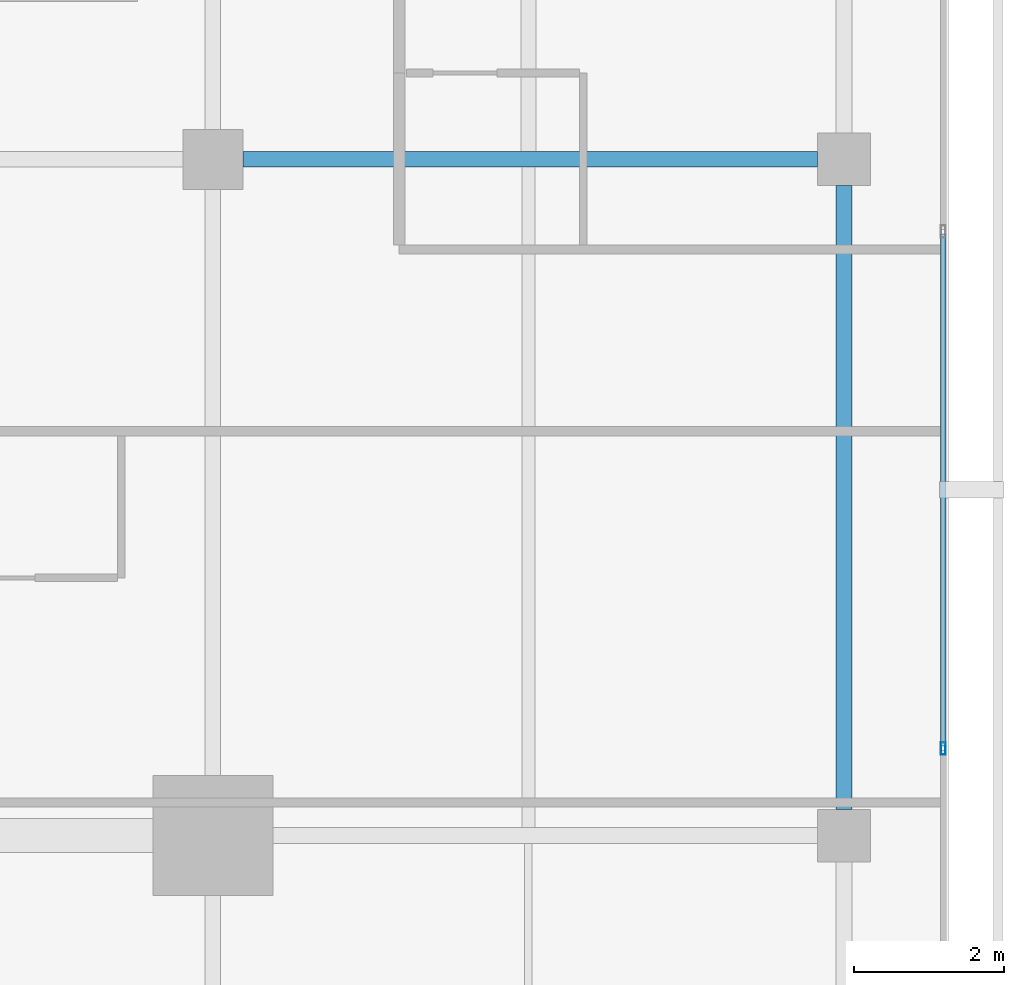
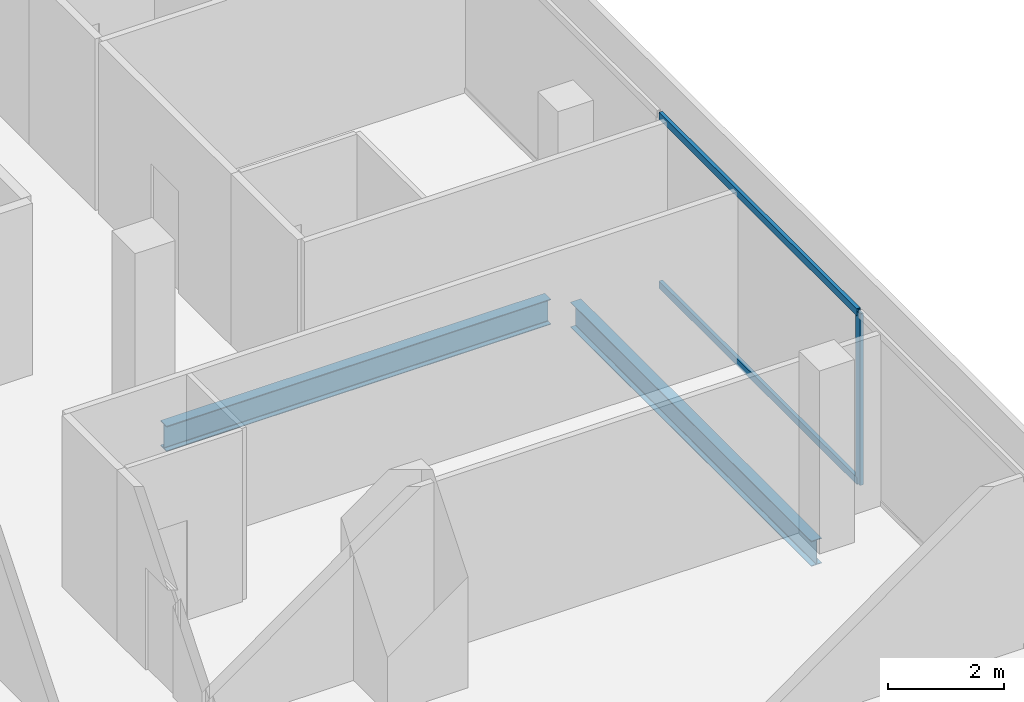
# One storey, part 14 of 26: 3 members, 2 beams, 1 element without a shape of its own.
"""IFC4 building model written with IfcOpenShell, lengths in metres."""

import ifcopenshell
import ifcopenshell.guid

model = None  # the IFC model being written
_history = None  # IfcOwnerHistory: only IFC2X3 demands one
_inside = {}  # id of a spatial element -> (the spatial element, [elements in it])
_under = {}  # id of a project, library or spatial element -> (it, [spatial elements below it])
_declared = {}  # id of a project -> (the project, [libraries it declares])
_typed = {}  # id of a type object -> (the type object, [elements of that type])
_made_of = {}  # id of a material, layer set ... -> (it, [elements and type objects made of it])


def new_model(schema):
    """Start an empty IFC model of exactly this schema.

    Asked for "IFC4X3", IfcOpenShell would pick the latest addendum, in which some entities
    have other attributes; the version numbers below select the first issue.
    IFC2X3 requires an IfcOwnerHistory on every rooted entity: one is made here for all.
    """
    global model, _history
    if schema == "IFC4X3":
        model = ifcopenshell.file(schema_version=(4, 3, 0, 0))
    else:
        model = ifcopenshell.file(schema=schema)
    _inside.clear()
    _under.clear()
    _declared.clear()
    _typed.clear()
    _made_of.clear()
    _history = None
    if model.schema == "IFC2X3":
        org = make("IfcOrganization", Name="unknown")
        user = make(
            "IfcPersonAndOrganization",
            ThePerson=make("IfcPerson", FamilyName="unknown"),
            TheOrganization=org,
        )
        app = make(
            "IfcApplication",
            ApplicationDeveloper=org,
            Version="unknown",
            ApplicationFullName="unknown",
            ApplicationIdentifier="unknown",
        )
        _history = make(
            "IfcOwnerHistory",
            OwningUser=user,
            OwningApplication=app,
            ChangeAction="ADDED",
            CreationDate=0,
        )
    return model


def make(cls, **values):
    """One entity of the class cls with the attributes given. An attribute that is None is left unset."""
    return model.create_entity(
        cls, **{name: value for name, value in values.items() if value is not None}
    )


def rooted(cls, **values):
    """An entity with a GlobalId (a new one), such as an element, a storey or a relation."""
    return make(cls, GlobalId=ifcopenshell.guid.new(), OwnerHistory=_history, **values)


def si_unit(unit_type, name, prefix=None):
    """IfcSIUnit, for example si_unit("LENGTHUNIT", "METRE", prefix="MILLI")."""
    return make("IfcSIUnit", UnitType=unit_type, Prefix=prefix, Name=name)


def assignment(units):
    """IfcUnitAssignment: the units of a project."""
    return None if units is None else make("IfcUnitAssignment", Units=units)


def point(xyz):
    """IfcCartesianPoint."""
    return None if xyz is None else make("IfcCartesianPoint", Coordinates=xyz)


def direction(xyz):
    """IfcDirection."""
    return None if xyz is None else make("IfcDirection", DirectionRatios=xyz)


def frame(location, z_axis=None, x_axis=None):
    """IfcAxis2Placement3D, a coordinate frame: its origin and axes. An axis left out is left unset."""
    return make(
        "IfcAxis2Placement3D",
        Location=point(location),
        Axis=direction(z_axis),
        RefDirection=direction(x_axis),
    )


def frame_2d(location, x_axis=None):
    """IfcAxis2Placement2D, a coordinate frame in the plane: its origin and x axis."""
    return make(
        "IfcAxis2Placement2D", Location=point(location), RefDirection=direction(x_axis)
    )


def origin():
    """The frame at (0, 0, 0) with its axes left unset."""
    return frame((0.0, 0.0, 0.0))


def origin_2d():
    """The frame at (0, 0) in the plane with its x axis left unset."""
    return frame_2d((0.0, 0.0))


def place(relative_to, where):
    """IfcLocalPlacement: puts the frame where relative to a parent placement (None: the world)."""
    return make(
        "IfcLocalPlacement", PlacementRelTo=relative_to, RelativePlacement=where
    )


def context(
    kind, dimensions, precision=None, world=None, true_north=None, identifier=None
):
    """IfcGeometricRepresentationContext, for example the 3D "Model" context."""
    return make(
        "IfcGeometricRepresentationContext",
        ContextIdentifier=identifier,
        ContextType=kind,
        CoordinateSpaceDimension=dimensions,
        Precision=precision,
        WorldCoordinateSystem=world,
        TrueNorth=true_north,
    )


def subcontext(parent, identifier, kind, view, scale=None):
    """IfcGeometricRepresentationSubContext, for example "Body" below "Model"."""
    return make(
        "IfcGeometricRepresentationSubContext",
        ContextIdentifier=identifier,
        ContextType=kind,
        ParentContext=parent,
        TargetScale=scale,
        TargetView=view,
    )


def project(units=None, contexts=None):
    """IfcProject with its units and contexts."""
    return rooted(
        "IfcProject",
        Name="project",
        RepresentationContexts=contexts,
        UnitsInContext=assignment(units),
    )


def spatial(cls, under=None, at=None, **own):
    """A site, building, storey or space (cls), placed at a placement, below another one or the project."""
    s = rooted(cls, ObjectPlacement=at, **own)
    if under is not None:
        _under.setdefault(under.id(), (under, []))[1].append(s)
    return s


def profile(cls, at=None, kind="AREA", **sizes):
    """A parametric profile (cls). Its sizes go by their IFC names, for example OverallWidth=200.0."""
    return make(cls, ProfileType=kind, Position=at, **sizes)


def hollow_rectangle(**sizes):
    """IfcRectangleHollowProfileDef."""
    return profile("IfcRectangleHollowProfileDef", **sizes)


def i_section(**sizes):
    """IfcIShapeProfileDef."""
    return profile("IfcIShapeProfileDef", **sizes)


def extrude(swept, where, along, depth):
    """IfcExtrudedAreaSolid: the profile swept, set in the frame where, extruded along a direction by depth."""
    return make(
        "IfcExtrudedAreaSolid",
        SweptArea=swept,
        Position=where,
        ExtrudedDirection=direction(along),
        Depth=depth,
    )


def shape(context_of_items, identifier, shape_type, items):
    """IfcShapeRepresentation: the items that make up one representation, for example the "Body"."""
    return make(
        "IfcShapeRepresentation",
        ContextOfItems=context_of_items,
        RepresentationIdentifier=identifier,
        RepresentationType=shape_type,
        Items=items,
    )


def material(Name=None, Category=None):
    """IfcMaterial."""
    return make("IfcMaterial", Name=Name, Category=Category)


def layer(
    of_material, thickness, ventilated=None, Name=None, Category=None, Priority=None
):
    """IfcMaterialLayer: one layer of a wall or slab, of a material (None: an air gap)."""
    return make(
        "IfcMaterialLayer",
        Material=of_material,
        LayerThickness=thickness,
        IsVentilated=ventilated,
        Name=Name,
        Category=Category,
        Priority=Priority,
    )


def layer_set(layers, Name=None):
    """IfcMaterialLayerSet."""
    return make("IfcMaterialLayerSet", MaterialLayers=layers, LayerSetName=Name)


def material_profile(
    of_material, cross_section, Name=None, Category=None, Priority=None
):
    """IfcMaterialProfile: a cross section and its material."""
    return make(
        "IfcMaterialProfile",
        Name=Name,
        Material=of_material,
        Profile=cross_section,
        Priority=Priority,
        Category=Category,
    )


def profile_set(profiles, Name=None, composite=None):
    """IfcMaterialProfileSet."""
    return make(
        "IfcMaterialProfileSet",
        Name=Name,
        MaterialProfiles=profiles,
        CompositeProfile=composite,
    )


def made_of(thing, what):
    """Note that an element or type object is made of a material, layer set ...; save() writes the relation."""
    if what is not None:
        _made_of.setdefault(what.id(), (what, []))[1].append(thing)
    return thing


def type_object(cls, material=None, **own):
    """A type object (cls), such as IfcWallType, which elements share."""
    return made_of(rooted(cls, **own), material)


def element(
    cls,
    number,
    at=None,
    inside=None,
    cuts=None,
    type_object=None,
    material=None,
    context=None,
    identifier="Body",
    shape_type=None,
    held_by="IfcProductDefinitionShape",
    body=None,
    shapes=None,
    **own,
):
    """One element of the class cls, such as IfcWall. Its Tag is "e" and its number.

    at: its placement. inside: the storey or other place that contains it. cuts: it is an
    opening in that element (IfcRelVoidsElement). A single representation is given by context,
    identifier, shape_type and body (its items); several are given by shapes. held_by: the class
    of the entity that holds the representations. save() writes the other relations.
    """
    e = rooted(cls, Tag="e%d" % number, ObjectPlacement=at, **own)
    if body is not None:
        shapes = [shape(context, identifier, shape_type, body)]
    if shapes is not None:
        e.Representation = make(held_by, Representations=shapes)
    if inside is not None:
        _inside.setdefault(inside.id(), (inside, []))[1].append(e)
    if cuts is not None:
        rooted(
            "IfcRelVoidsElement", RelatingBuildingElement=cuts, RelatedOpeningElement=e
        )
    if type_object is not None:
        _typed.setdefault(type_object.id(), (type_object, []))[1].append(e)
    return made_of(e, material)


def aggregate(whole, parts):
    """IfcRelAggregates: a whole, such as a stair, and the parts it consists of."""
    return rooted("IfcRelAggregates", RelatingObject=whole, RelatedObjects=parts)


def save(model, path):
    """Write the relations noted so far, then the file.

    IfcRelAggregates (storeys below a building ...), IfcRelContainedInSpatialStructure (elements
    in a storey), IfcRelDefinesByType, IfcRelAssociatesMaterial and IfcRelDeclares: one each for
    every whole, place, type object, material and project.
    """
    for whole, parts in _under.values():
        aggregate(whole, parts)
    for where, things in _inside.values():
        rooted(
            "IfcRelContainedInSpatialStructure",
            RelatedElements=things,
            RelatingStructure=where,
        )
    for kind, things in _typed.values():
        rooted("IfcRelDefinesByType", RelatedObjects=things, RelatingType=kind)
    for what, things in _made_of.values():
        rooted("IfcRelAssociatesMaterial", RelatedObjects=things, RelatingMaterial=what)
    for by, libraries in _declared.values():
        rooted("IfcRelDeclares", RelatingContext=by, RelatedDefinitions=libraries)
    model.write(path)


model = new_model("IFC4")

# Units and contexts
model_context = context("Model", 3, precision=1e-05, world=origin(), true_north=direction((0.0, 1.0)))
body_context = subcontext(model_context, "Body", "Model", "MODEL_VIEW")
ifc_project = project(units=[si_unit("LENGTHUNIT", "METRE"), si_unit("AREAUNIT", "SQUARE_METRE"), si_unit("VOLUMEUNIT", "CUBIC_METRE"), si_unit("PLANEANGLEUNIT", "RADIAN"), si_unit("MASSUNIT", "GRAM", prefix="KILO")], contexts=[model_context])

# Site, building, storey
site_placement = place(None, origin())
site = spatial("IfcSite", under=ifc_project, at=site_placement, CompositionType="ELEMENT")
building_placement = place(site_placement, origin())
building = spatial("IfcBuilding", under=site, at=building_placement, Name="Maruvema Waterfront Hotel and Observation Tower", CompositionType="ELEMENT")
storey_placement = place(building_placement, frame((0.0, 0.0, 254.800048828125)))
storey = spatial("IfcBuildingStorey", under=building, at=storey_placement, Name="L62", CompositionType="ELEMENT", Elevation=254.800048828125)

# Curtain wall, members
ifc_material_1 = material(Name="Anodised bronze aluminium and solar-control low-E IGU", Category="aluminium")
ifc_layer = layer(ifc_material_1, 0.159912109375, Name="Zone 3 Champagne Inner Thermal Curtain Wall System CW-04")
ifc_layer_set = layer_set([ifc_layer], Name="Anodised bronze aluminium and solar-control low-E IGU")
curtain_wall_type = type_object("IfcCurtainWallType", Name="Zone 3 Champagne Inner Thermal Curtain Wall System CW-04", PredefinedType="USERDEFINED", material=ifc_layer_set)
curtain_wall_placement = place(storey_placement, origin())
curtain_wall = element("IfcCurtainWall", 1, at=curtain_wall_placement, inside=storey, type_object=curtain_wall_type, Name="L62 Curtain Wall CW-L62-E", ObjectType="UNITISED CURTAIN WALL", PredefinedType="USERDEFINED")
ifc_material_2 = material(Name="Anodised architectural bronze aluminium", Category="aluminium")
ifc_material_profile_1 = material_profile(ifc_material_2, hollow_rectangle(XDim=0.070068359375, YDim=0.14990234375, WallThickness=0.00390625, at=origin_2d()), Name="ALU-T70x150")
ifc_profile_set_1 = profile_set([ifc_material_profile_1], Name="Anodised architectural bronze aluminium")
member_type_1 = type_object("IfcMemberType", Name="Curtain Wall Horizontal Transom ALU-T70x150", PredefinedType="USERDEFINED", material=ifc_profile_set_1)
member_1_placement = place(storey_placement, frame((60.1201171875, 28.18994140625, 0.030029296875), z_axis=(0.0, 1.0, 0.0), x_axis=(-1.0, 0.0, 0.0)))
member_1 = element("IfcMember", 2, at=member_1_placement, type_object=member_type_1, Name="CW-04 transom 3.1", ObjectType="TRANSOM", PredefinedType="USERDEFINED", context=body_context, shape_type="SweptSolid", body=[
    extrude(hollow_rectangle(XDim=0.070068359375, YDim=0.14990234375, WallThickness=0.00390625, at=origin_2d()), origin(), (0.0, 0.0, 1.0), 6.820068359375),
])
member_2_placement = place(storey_placement, frame((60.1201171875, 28.18994140625, 3.579833984375), z_axis=(0.0, 1.0, 0.0), x_axis=(-1.0, 0.0, 0.0)))
member_2 = element("IfcMember", 3, at=member_2_placement, type_object=member_type_1, Name="CW-04 transom 3.2", ObjectType="TRANSOM", PredefinedType="USERDEFINED", context=body_context, shape_type="SweptSolid", body=[
    extrude(hollow_rectangle(XDim=0.070068359375, YDim=0.14990234375, WallThickness=0.00390625, at=origin_2d()), origin(), (0.0, 0.0, 1.0), 6.820068359375),
])
ifc_material_3 = material(Name="Anodised architectural bronze aluminium", Category="aluminium")
ifc_material_profile_2 = material_profile(ifc_material_3, hollow_rectangle(XDim=0.06494140625, YDim=0.1650390625, WallThickness=0.00390625, at=origin_2d()), Name="ALU-M65x165")
ifc_profile_set_2 = profile_set([ifc_material_profile_2], Name="Anodised architectural bronze aluminium")
member_type_2 = type_object("IfcMemberType", Name="Curtain Wall Primary Mullion ALU-M65x165", PredefinedType="MULLION", material=ifc_profile_set_2)
member_3_placement = place(storey_placement, frame((60.1201171875, 28.159912109375, 0.0), z_axis=(0.0, 0.0, 1.0), x_axis=(-1.0, 0.0, 0.0)))
member_3 = element("IfcMember", 4, at=member_3_placement, type_object=member_type_2, Name="CW-04 mullion 3", PredefinedType="MULLION", context=body_context, shape_type="SweptSolid", body=[
    extrude(hollow_rectangle(XDim=0.06494140625, YDim=0.1650390625, WallThickness=0.00390625, at=origin_2d()), origin(), (0.0, 0.0, 1.0), 3.60986328125),
])
aggregate(curtain_wall, [member_3, member_1, member_2])

# Beams
ifc_material_4 = material(Name="Steel ASTM A572 Grade 50", Category="steel")
ifc_material_profile_3 = material_profile(ifc_material_4, i_section(OverallWidth=0.208984375, OverallDepth=0.532958984375, WebThickness=0.01025390625, FlangeThickness=0.015625, FilletRadius=0.014892578125, at=origin_2d()), Name="W530x92.0")
ifc_profile_set_3 = profile_set([ifc_material_profile_3], Name="Steel ASTM A572 Grade 50")
beam_type = type_object("IfcBeamType", Name="Primary Floor Girder W530x92.0", PredefinedType="BEAM", material=ifc_profile_set_3)
beam_1_placement = place(storey_placement, frame((50.800048828125, 36.0, -0.506591796875), z_axis=(1.0, 0.0, 0.0), x_axis=(0.0, 1.0, 0.0)))
element("IfcBeam", 5, at=beam_1_placement, inside=storey, type_object=beam_type, Name="L62 Floor Girder EW-16", PredefinedType="BEAM", context=body_context, shape_type="SweptSolid", body=[
    extrude(i_section(OverallWidth=0.208984375, OverallDepth=0.532958984375, WebThickness=0.01025390625, FlangeThickness=0.015625, FilletRadius=0.014892578125, at=origin_2d()), origin(), (0.0, 0.0, 1.0), 7.64990234375),
])
beam_2_placement = place(storey_placement, frame((58.800048828125, 27.35009765625, -0.506591796875), z_axis=(0.0, 1.0, 0.0), x_axis=(-1.0, 0.0, 0.0)))
element("IfcBeam", 6, at=beam_2_placement, inside=storey, type_object=beam_type, Name="L62 Floor Girder NS-17", PredefinedType="BEAM", context=body_context, shape_type="SweptSolid", body=[
    extrude(i_section(OverallWidth=0.208984375, OverallDepth=0.532958984375, WebThickness=0.01025390625, FlangeThickness=0.015625, FilletRadius=0.014892578125, at=origin_2d()), origin(), (0.0, 0.0, 1.0), 8.2998046875),
])

save(model, "model.ifc")
